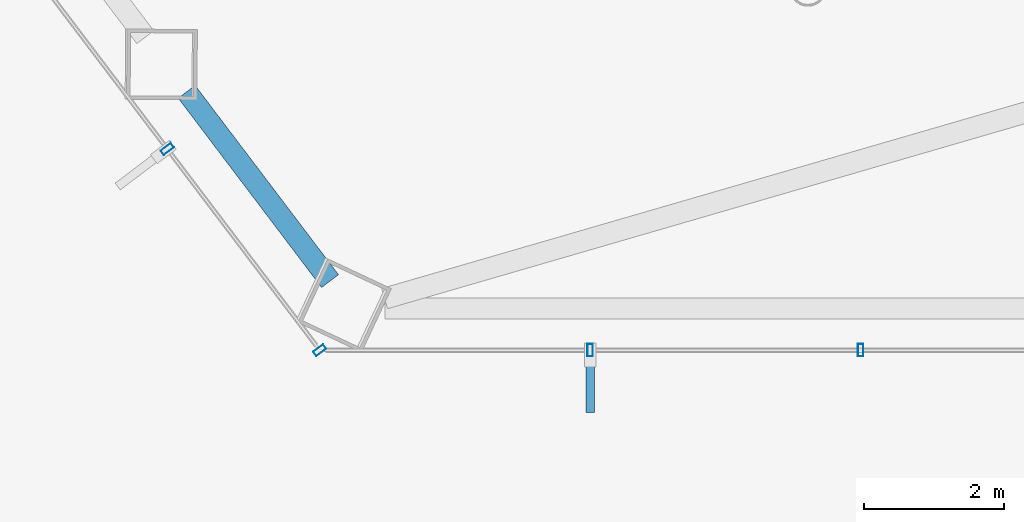
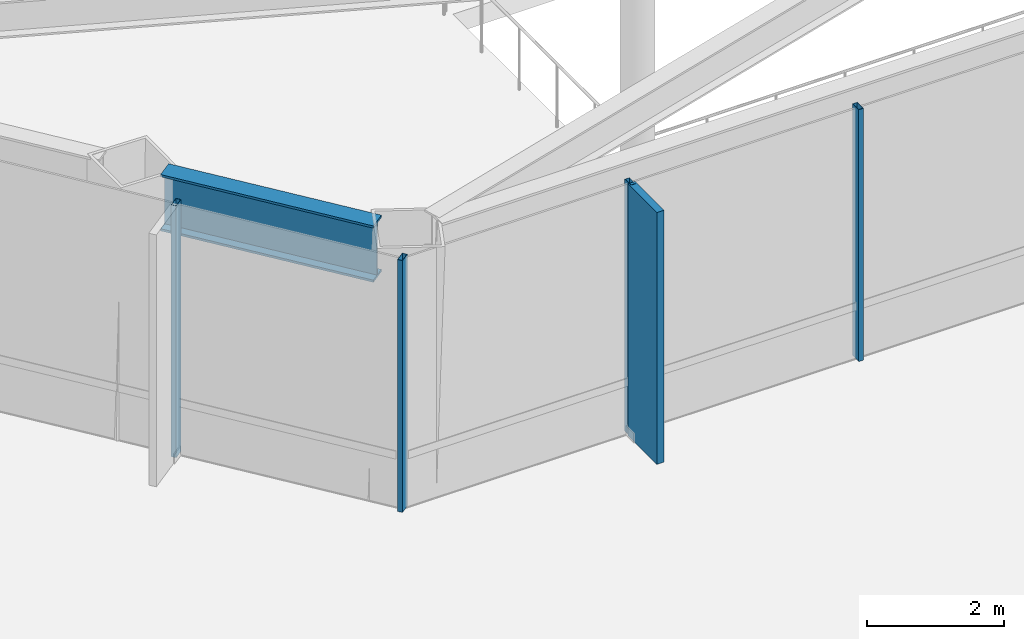
# One storey, part 2 of 30: 5 members, 1 beam, 2 elements without a shape of their own.
"""IFC4 building model written with IfcOpenShell, lengths in metres."""

from ifc_helpers import new_model, si_unit, direction, frame, origin, origin_2d, place, context, subcontext, project, spatial, rectangle, hollow_rectangle, i_section, extrude, material, layer, layer_set, material_profile, profile_set, type_object, element, aggregate, save


model = new_model("IFC4")

# Units and contexts
model_context = context("Model", 3, precision=1e-05, world=origin(), true_north=direction((0.0, 1.0)))
body_context = subcontext(model_context, "Body", "Model", "MODEL_VIEW")
ifc_project = project(units=[si_unit("LENGTHUNIT", "METRE"), si_unit("AREAUNIT", "SQUARE_METRE"), si_unit("VOLUMEUNIT", "CUBIC_METRE"), si_unit("PLANEANGLEUNIT", "RADIAN"), si_unit("MASSUNIT", "GRAM", prefix="KILO")], contexts=[model_context])

# Site, building, storey
site_placement = place(None, origin())
site = spatial("IfcSite", under=ifc_project, at=site_placement, CompositionType="ELEMENT")
building_placement = place(site_placement, origin())
building = spatial("IfcBuilding", under=site, at=building_placement, Name="Zarrinselat Tower", CompositionType="ELEMENT")
storey_placement = place(building_placement, frame((0.0, 0.0, 22.780029296875)))
storey = spatial("IfcBuildingStorey", under=building, at=storey_placement, Name="L05", CompositionType="ELEMENT", Elevation=22.780029296875)

# Beam
ifc_material_1 = material(Name="Steel S460M", Category="steel")
ifc_material_profile_1 = material_profile(ifc_material_1, i_section(OverallWidth=0.302001953125, OverallDepth=1.008056640625, WebThickness=0.02099609375, FlangeThickness=0.0400390625, at=origin_2d()), Name="HEM 1000")
ifc_profile_set_1 = profile_set([ifc_material_profile_1], Name="Steel S460M")
beam_type = type_object("IfcBeamType", Name="BM-HEM1000", PredefinedType="BEAM", material=ifc_profile_set_1)
beam_placement = place(storey_placement, frame((24.95556640625, 22.92431640625, 3.995849609375), z_axis=(0.603852126588, -0.797096361311, 0.0), x_axis=(0.797096361311, 0.603852126588, 0.0)))
element("IfcBeam", 1, at=beam_placement, inside=storey, type_object=beam_type, Name="L05 Perimeter Spandrel Girder SP09", PredefinedType="BEAM", context=body_context, shape_type="SweptSolid", body=[
    extrude(i_section(OverallWidth=0.302001953125, OverallDepth=1.008056640625, WebThickness=0.02099609375, FlangeThickness=0.0400390625, at=origin_2d()), origin(), (0.0, 0.0, 1.0), 3.380859375),
])

# Curtain wall, members
ifc_material_2 = material(Name="Extruded Aluminium Alloy EN AW-6063 T6", Category="aluminium")
ifc_layer = layer(ifc_material_2, 0.195068359375)
ifc_layer_set = layer_set([ifc_layer], Name="Extruded Aluminium Alloy EN AW-6063 T6")
curtain_wall_type = type_object("IfcCurtainWallType", Name="CWS-GDN", PredefinedType="NOTDEFINED", material=ifc_layer_set)
curtain_wall_1_placement = place(storey_placement, origin())
curtain_wall_1 = element("IfcCurtainWall", 2, at=curtain_wall_1_placement, inside=storey, type_object=curtain_wall_type, Name="L05 Unitised Curtain Wall CW-L05-E03", PredefinedType="NOTDEFINED")
ifc_material_3 = material(Name="Extruded Aluminium Alloy EN AW-6063 T6", Category="aluminium")
ifc_material_profile_2 = material_profile(ifc_material_3, hollow_rectangle(XDim=0.080078125, YDim=0.179931640625, WallThickness=0.0048828125, at=origin_2d()), Name="RHS 180x80x5")
ifc_profile_set_2 = profile_set([ifc_material_profile_2], Name="Extruded Aluminium Alloy EN AW-6063 T6")
member_type_1 = type_object("IfcMemberType", Name="MEM-CW-MUL", PredefinedType="MULLION", material=ifc_profile_set_2)
member_1_placement = place(storey_placement, frame((24.679931640625, 22.1103515625, 0.0), z_axis=(0.0, 0.0, 1.0), x_axis=(0.603857687995, -0.797092148154, 0.0)))
member_1 = element("IfcMember", 3, at=member_1_placement, type_object=member_type_1, Name="CW-L05-E03 Mullion 5", PredefinedType="MULLION", context=body_context, shape_type="SweptSolid", body=[
    extrude(hollow_rectangle(XDim=0.080078125, YDim=0.179931640625, WallThickness=0.0048828125, at=origin_2d()), origin(), (0.0, 0.0, 1.0), 4.5),
])
member_2_placement = place(storey_placement, frame((26.85009765625, 19.24609375, 0.0), z_axis=(0.0, 0.0, 1.0), x_axis=(0.603857687995, -0.797092148154, 0.0)))
member_2 = element("IfcMember", 4, at=member_2_placement, type_object=member_type_1, Name="CW-L05-E03 Mullion 6", PredefinedType="MULLION", context=body_context, shape_type="SweptSolid", body=[
    extrude(hollow_rectangle(XDim=0.080078125, YDim=0.179931640625, WallThickness=0.0048828125, at=origin_2d()), origin(), (0.0, 0.0, 1.0), 4.5),
])
aggregate(curtain_wall_1, [member_1, member_2])

curtain_wall_2_placement = place(storey_placement, origin())
curtain_wall_2 = element("IfcCurtainWall", 5, at=curtain_wall_2_placement, inside=storey, type_object=curtain_wall_type, Name="L05 Unitised Curtain Wall CW-L05-E04", PredefinedType="NOTDEFINED")
member_3_placement = place(storey_placement, frame((30.699951171875, 19.24609375, 0.0), z_axis=(0.0, 0.0, 1.0), x_axis=(1.0, 0.0, 0.0)))
member_3 = element("IfcMember", 6, at=member_3_placement, type_object=member_type_1, Name="CW-L05-E04 Mullion 1", PredefinedType="MULLION", context=body_context, shape_type="SweptSolid", body=[
    extrude(hollow_rectangle(XDim=0.080078125, YDim=0.179931640625, WallThickness=0.0048828125, at=origin_2d()), origin(), (0.0, 0.0, 1.0), 4.5),
])
member_4_placement = place(storey_placement, frame((34.550048828125, 19.24609375, 0.0), z_axis=(0.0, 0.0, 1.0), x_axis=(1.0, 0.0, 0.0)))
member_4 = element("IfcMember", 7, at=member_4_placement, type_object=member_type_1, Name="CW-L05-E04 Mullion 2", PredefinedType="MULLION", context=body_context, shape_type="SweptSolid", body=[
    extrude(hollow_rectangle(XDim=0.080078125, YDim=0.179931640625, WallThickness=0.0048828125, at=origin_2d()), origin(), (0.0, 0.0, 1.0), 4.5),
])
ifc_material_4 = material(Name="Honed Cream Travertine Stone", Category="masonry")
ifc_material_profile_3 = material_profile(ifc_material_4, rectangle(XDim=0.1201171875, YDim=0.85009765625, at=origin_2d()), Name="FIN 850x120")
ifc_profile_set_3 = profile_set([ifc_material_profile_3], Name="Honed Cream Travertine Stone")
member_type_2 = type_object("IfcMemberType", Name="MEM-STONE-FIN", PredefinedType="USERDEFINED", material=ifc_profile_set_3)
member_5_placement = place(storey_placement, frame((30.699951171875, 18.785888671875, 0.0), z_axis=(0.0, 0.0, 1.0), x_axis=(-1.0, 0.0, 0.0)))
member_5 = element("IfcMember", 8, at=member_5_placement, type_object=member_type_2, Name="L05 Stone Shading Fin CW-L05-E04-01", ObjectType="FIN", PredefinedType="USERDEFINED", context=body_context, shape_type="SweptSolid", body=[
    extrude(rectangle(XDim=0.1201171875, YDim=0.85009765625, at=origin_2d()), origin(), (0.0, 0.0, 1.0), 4.5),
])
aggregate(curtain_wall_2, [member_3, member_5, member_4])

save(model, "model.ifc")
